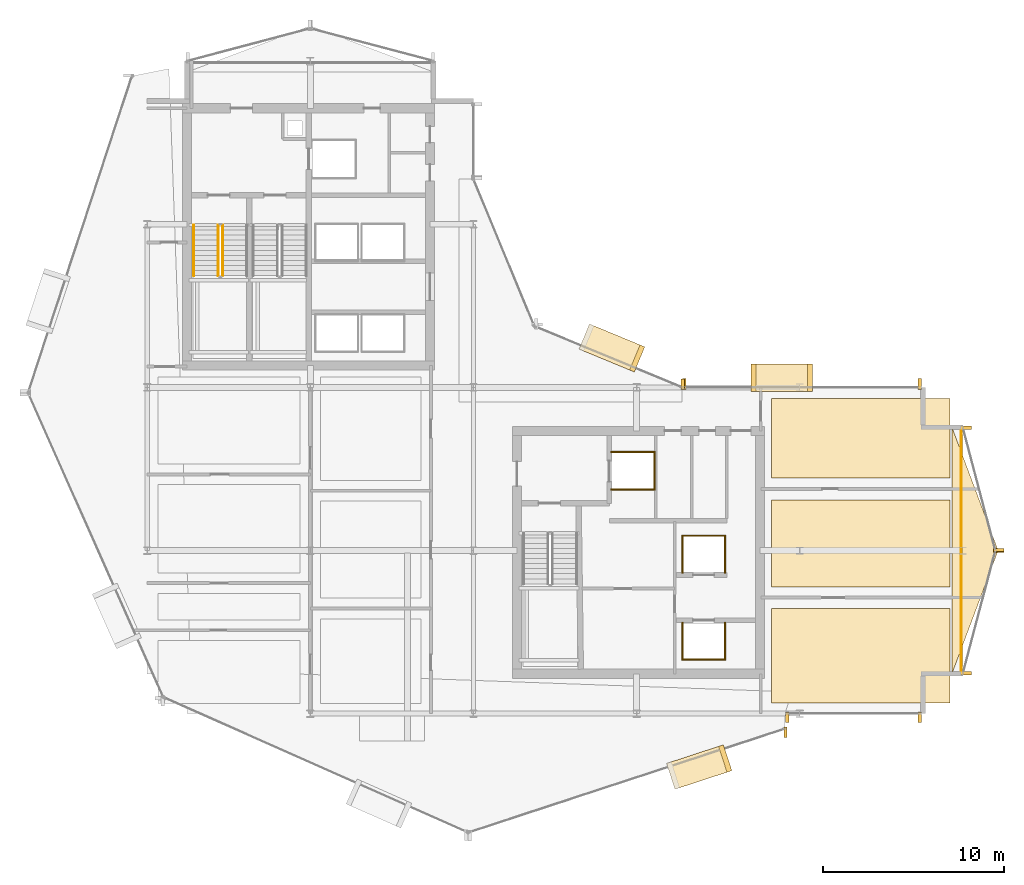
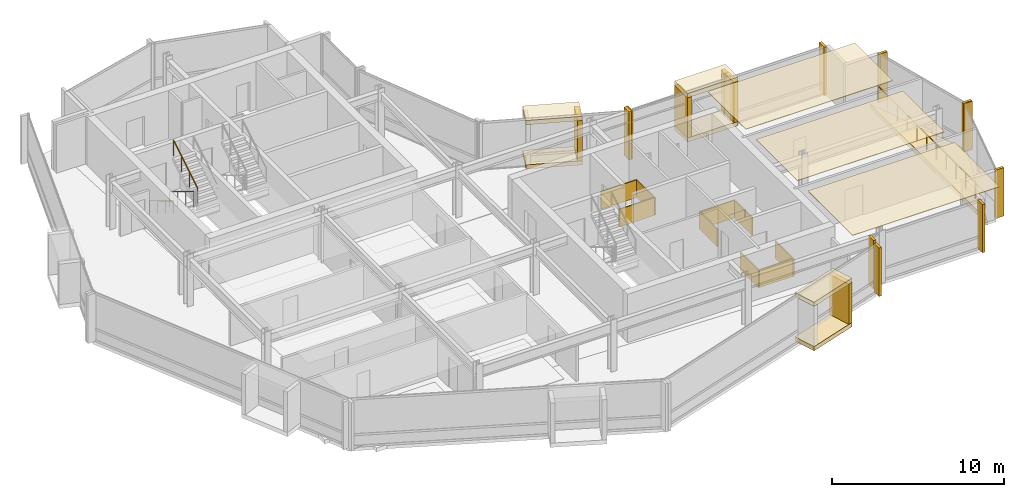
# One storey, part 26 of 27: 33 coverings, 4 railings.
"""IFC4 building model written with IfcOpenShell, lengths in metres."""

from ifc_helpers import new_model, si_unit, direction, frame, origin, origin_2d, place, context, subcontext, project, spatial, polyline, rectangle, circle, outline, extrude, material, layer, layer_set, type_object, element, save


model = new_model("IFC4")

# Units and contexts
model_context = context("Model", 3, precision=1e-05, world=origin(), true_north=direction((0.0, 1.0)))
body_context = subcontext(model_context, "Body", "Model", "MODEL_VIEW")
ifc_project = project(units=[si_unit("LENGTHUNIT", "METRE"), si_unit("AREAUNIT", "SQUARE_METRE"), si_unit("VOLUMEUNIT", "CUBIC_METRE"), si_unit("PLANEANGLEUNIT", "RADIAN"), si_unit("MASSUNIT", "GRAM", prefix="KILO")], contexts=[model_context])

# Site, building, storey
site_placement = place(None, origin())
site = spatial("IfcSite", under=ifc_project, at=site_placement, CompositionType="ELEMENT")
building_placement = place(site_placement, origin())
building = spatial("IfcBuilding", under=site, at=building_placement, Name="Solvaryn Broadcast Tower", CompositionType="ELEMENT")
storey_placement = place(building_placement, frame((0.0, 0.0, 174.199951171875)))
storey = spatial("IfcBuildingStorey", under=building, at=storey_placement, Name="L43", CompositionType="ELEMENT", Elevation=174.199951171875)

# Coverings
ifc_material_1 = material(Name="Micro-Perforated Acoustic Gypsum Ceiling", Category="concrete")
ifc_layer_1 = layer(ifc_material_1, 0.0400390625)
ifc_layer_set_1 = layer_set([ifc_layer_1], Name="CV-CEIL-ACOUSTIC")
covering_type_1 = type_object("IfcCoveringType", Name="CV-CEIL-ACOUSTIC", PredefinedType="CEILING", material=ifc_layer_set_1)
covering_1_placement = place(storey_placement, frame((0.0, 0.0, 3.380126953125)))
element("IfcCovering", 1, at=covering_1_placement, inside=storey, type_object=covering_type_1, Name="L43 Room Acoustic Ceiling 8", PredefinedType="CEILING", context=body_context, shape_type="SweptSolid", body=[
    extrude(outline(polyline([(43.449951171875, 9.60009765625), (53.300048828125, 9.60009765625), (53.300048828125, 14.800048828125), (43.449951171875, 14.800048828125), (43.449951171875, 9.60009765625)])), origin(), (0.0, 0.0, 1.0), 0.0400390625),
])
covering_2_placement = place(storey_placement, frame((0.0, 0.0, 3.380126953125)))
element("IfcCovering", 2, at=covering_2_placement, inside=storey, type_object=covering_type_1, Name="L43 Room Acoustic Ceiling 9", PredefinedType="CEILING", context=body_context, shape_type="SweptSolid", body=[
    extrude(outline(polyline([(43.449951171875, 16.0), (53.300048828125, 16.0), (53.300048828125, 20.800048828125), (43.449951171875, 20.800048828125), (43.449951171875, 16.0)])), origin(), (0.0, 0.0, 1.0), 0.0400390625),
])
covering_3_placement = place(storey_placement, frame((0.0, 0.0, 3.380126953125)))
element("IfcCovering", 3, at=covering_3_placement, inside=storey, type_object=covering_type_1, Name="L43 Room Acoustic Ceiling 10", PredefinedType="CEILING", context=body_context, shape_type="SweptSolid", body=[
    extrude(outline(polyline([(43.449951171875, 22.0), (53.300048828125, 22.0), (53.300048828125, 26.39990234375), (43.449951171875, 26.39990234375), (43.449951171875, 22.0)])), origin(), (0.0, 0.0, 1.0), 0.0400390625),
])
ifc_material_2 = material(Name="Fire-Rated Gypsum Shaftwall Liner", Category="concrete")
ifc_layer_2 = layer(ifc_material_2, 0.080078125)
ifc_layer_set_2 = layer_set([ifc_layer_2], Name="CV-SHAFT-LINER")
covering_type_2 = type_object("IfcCoveringType", Name="CV-SHAFT-LINER", PredefinedType="CLADDING", material=ifc_layer_set_2)
for number, where, z_axis, x_axis, name in (
    (4, (35.800048828125, 23.43994140625, 0.0), (0.0, 0.0, 1.0), (1.0, 0.0, 0.0), "L43 FL2 Hoistway Shaft Liner North"),
    (5, (35.800048828125, 21.360107421875, 0.0), (0.0, 0.0, 1.0), (1.0, 0.0, 0.0), "L43 FL2 Hoistway Shaft Liner South"),
):
    element("IfcCovering", number, at=place(storey_placement, frame(where, z_axis=z_axis, x_axis=x_axis)), inside=storey, type_object=covering_type_2, Name=name, PredefinedType="CLADDING", context=body_context, shape_type="SweptSolid", body=[
        extrude(rectangle(XDim=2.4599609375, YDim=0.080078125, at=origin_2d()), origin(), (0.0, 0.0, 1.0), 1.25),
    ])
covering_4_placement = place(storey_placement, frame((36.989990234375, 22.39990234375, 0.0), z_axis=(0.0, 0.0, 1.0), x_axis=(1.0, 0.0, 0.0)))
element("IfcCovering", 6, at=covering_4_placement, inside=storey, type_object=covering_type_2, Name="L43 FL2 Hoistway Shaft Liner East", PredefinedType="CLADDING", context=body_context, shape_type="SweptSolid", body=[
    extrude(rectangle(XDim=0.080078125, YDim=2.159912109375, at=origin_2d()), origin(), (0.0, 0.0, 1.0), 1.25),
])
covering_5_placement = place(storey_placement, frame((39.699951171875, 11.985107421875, 0.0), z_axis=(0.0, 0.0, 1.0), x_axis=(1.0, 0.0, 0.0)))
element("IfcCovering", 7, at=covering_5_placement, inside=storey, type_object=covering_type_2, Name="L43 PM1 Hoistway Shaft Liner South", PredefinedType="CLADDING", context=body_context, shape_type="SweptSolid", body=[
    extrude(rectangle(XDim=2.409912109375, YDim=0.080078125, at=origin_2d()), origin(), (0.0, 0.0, 1.0), 1.25),
])
for number, where, z_axis, x_axis, name in (
    (8, (40.864990234375, 13.0, 0.0), (0.0, 0.0, 1.0), (1.0, 0.0, 0.0), "L43 PM1 Hoistway Shaft Liner East"),
    (9, (38.534912109375, 13.0, 0.0), (0.0, 0.0, 1.0), (1.0, 0.0, 0.0), "L43 PM1 Hoistway Shaft Liner West"),
):
    element("IfcCovering", number, at=place(storey_placement, frame(where, z_axis=z_axis, x_axis=x_axis)), inside=storey, type_object=covering_type_2, Name=name, PredefinedType="CLADDING", context=body_context, shape_type="SweptSolid", body=[
        extrude(rectangle(XDim=0.080078125, YDim=2.110107421875, at=origin_2d()), origin(), (0.0, 0.0, 1.0), 1.25),
    ])
covering_6_placement = place(storey_placement, frame((39.699951171875, 18.81494140625, 0.0), z_axis=(0.0, 0.0, 1.0), x_axis=(1.0, 0.0, 0.0)))
element("IfcCovering", 10, at=covering_6_placement, inside=storey, type_object=covering_type_2, Name="L43 PM2 Hoistway Shaft Liner North", PredefinedType="CLADDING", context=body_context, shape_type="SweptSolid", body=[
    extrude(rectangle(XDim=2.409912109375, YDim=0.080078125, at=origin_2d()), origin(), (0.0, 0.0, 1.0), 1.25),
])
for number, where, z_axis, x_axis, name in (
    (11, (40.864990234375, 17.800048828125, 0.0), (0.0, 0.0, 1.0), (1.0, 0.0, 0.0), "L43 PM2 Hoistway Shaft Liner East"),
    (12, (38.534912109375, 17.800048828125, 0.0), (0.0, 0.0, 1.0), (1.0, 0.0, 0.0), "L43 PM2 Hoistway Shaft Liner West"),
):
    element("IfcCovering", number, at=place(storey_placement, frame(where, z_axis=z_axis, x_axis=x_axis)), inside=storey, type_object=covering_type_2, Name=name, PredefinedType="CLADDING", context=body_context, shape_type="SweptSolid", body=[
        extrude(rectangle(XDim=0.080078125, YDim=2.110107421875, at=origin_2d()), origin(), (0.0, 0.0, 1.0), 1.25),
    ])
ifc_material_3 = material(Name="Glazed Architectural Terracotta Rainscreen Cladding", Category="masonry")
ifc_layer_3 = layer(ifc_material_3, 0.280029296875)
ifc_layer_set_3 = layer_set([ifc_layer_3], Name="CV-TC-CLAD")
covering_type_3 = type_object("IfcCoveringType", Name="CV-TC-CLAD", PredefinedType="CLADDING", material=ifc_layer_set_3)
for number, where, z_axis, x_axis, name in (
    (13, (39.4541015625, 6.054931640625, 3.1298828125), (0.0, 0.0, 1.0), (0.950244253402, 0.311505792684, 0.0), "L43 Projecting Stone Window Box Hood 4"),
    (14, (39.4541015625, 6.054931640625, -0.009765625), (0.0, 0.0, 1.0), (0.950244253402, 0.311505792684, 0.0), "L43 Projecting Stone Window Box Sill 4"),
):
    element("IfcCovering", number, at=place(storey_placement, frame(where, z_axis=z_axis, x_axis=x_axis)), inside=storey, type_object=covering_type_3, Name=name, PredefinedType="CLADDING", context=body_context, shape_type="SweptSolid", body=[
        extrude(rectangle(XDim=3.300048828125, YDim=1.5, at=origin_2d()), origin(), (0.0, 0.0, 1.0), 0.300048828125),
    ])
covering_7_placement = place(storey_placement, frame((40.888916015625, 6.525390625, 0.27978515625), z_axis=(0.0, 0.0, 1.0), x_axis=(0.950244253402, 0.311505792684, 0.0)))
element("IfcCovering", 15, at=covering_7_placement, inside=storey, type_object=covering_type_3, Name="L43 Projecting Stone Window Box Cheek 4-2", PredefinedType="CLADDING", context=body_context, shape_type="SweptSolid", body=[
    extrude(rectangle(XDim=0.280029296875, YDim=1.5, at=origin_2d()), origin(), (0.0, 0.0, 1.0), 2.860107421875),
])
for number, where, z_axis, x_axis, name in (
    (16, (34.636962890625, 29.174072265625, 3.1298828125), (0.0, 0.0, 1.0), (-0.923879532511, 0.382683432365, 0.0), "L43 Projecting Stone Window Box Hood 5"),
    (17, (34.636962890625, 29.174072265625, -0.009765625), (0.0, 0.0, 1.0), (-0.923879532511, 0.382683432365, 0.0), "L43 Projecting Stone Window Box Sill 5"),
):
    element("IfcCovering", number, at=place(storey_placement, frame(where, z_axis=z_axis, x_axis=x_axis)), inside=storey, type_object=covering_type_3, Name=name, PredefinedType="CLADDING", context=body_context, shape_type="SweptSolid", body=[
        extrude(rectangle(XDim=3.300048828125, YDim=1.5, at=origin_2d()), origin(), (0.0, 0.0, 1.0), 0.300048828125),
    ])
covering_8_placement = place(storey_placement, frame((36.031982421875, 28.59619140625, 0.27978515625), z_axis=(0.0, 0.0, 1.0), x_axis=(-0.923879532511, 0.382683432365, 0.0)))
element("IfcCovering", 18, at=covering_8_placement, inside=storey, type_object=covering_type_3, Name="L43 Projecting Stone Window Box Cheek 5-1", PredefinedType="CLADDING", context=body_context, shape_type="SweptSolid", body=[
    extrude(rectangle(XDim=0.280029296875, YDim=1.5, at=origin_2d()), origin(), (0.0, 0.0, 1.0), 2.860107421875),
])
for number, where, z_axis, x_axis, name in (
    (19, (44.0, 27.530029296875, 3.1298828125), (0.0, 0.0, 1.0), (1.0, 0.0, 0.0), "L43 Projecting Stone Window Box Hood 6"),
    (20, (44.0, 27.530029296875, -0.009765625), (0.0, 0.0, 1.0), (1.0, 0.0, 0.0), "L43 Projecting Stone Window Box Sill 6"),
):
    element("IfcCovering", number, at=place(storey_placement, frame(where, z_axis=z_axis, x_axis=x_axis)), inside=storey, type_object=covering_type_3, Name=name, PredefinedType="CLADDING", context=body_context, shape_type="SweptSolid", body=[
        extrude(rectangle(XDim=3.39990234375, YDim=1.5, at=origin_2d()), origin(), (0.0, 0.0, 1.0), 0.300048828125),
    ])
for number, where, z_axis, x_axis, name in (
    (21, (42.43994140625, 27.530029296875, 0.27978515625), (0.0, 0.0, 1.0), (1.0, 0.0, 0.0), "L43 Projecting Stone Window Box Cheek 6-1"),
    (22, (45.56005859375, 27.530029296875, 0.27978515625), (0.0, 0.0, 1.0), (1.0, 0.0, 0.0), "L43 Projecting Stone Window Box Cheek 6-2"),
):
    element("IfcCovering", number, at=place(storey_placement, frame(where, z_axis=z_axis, x_axis=x_axis)), inside=storey, type_object=covering_type_3, Name=name, PredefinedType="CLADDING", context=body_context, shape_type="SweptSolid", body=[
        extrude(rectangle(XDim=0.280029296875, YDim=1.5, at=origin_2d()), origin(), (0.0, 0.0, 1.0), 2.860107421875),
    ])
ifc_material_4 = material(Name="Extruded Architectural Terracotta Fin", Category="masonry")
ifc_layer_4 = layer(ifc_material_4, 0.179931640625)
ifc_layer_set_4 = layer_set([ifc_layer_4], Name="CV-TC-FIN")
covering_type_4 = type_object("IfcCoveringType", Name="CV-TC-FIN", PredefinedType="USERDEFINED", material=ifc_layer_set_4)
for number, where, z_axis, x_axis, name in (
    (23, (44.209716796875, 7.982666015625, 0.0), (0.0, 0.0, 1.0), (1.0, 0.0, 0.0), "L43 Terracotta Vertical Fin FIN-L43-DR4-M01"),
    (24, (38.541259765625, 27.177978515625, 0.0), (0.0, 0.0, 1.0), (1.0, 0.0, 0.0), "L43 Terracotta Vertical Fin FIN-L43-CN1-M00"),
    (25, (44.31201171875, 8.8125, 0.0), (0.0, 0.0, 1.0), (1.0, 0.0, 0.0), "L43 Terracotta Vertical Fin FIN-L43-S2-M00"),
    (26, (51.6201171875, 8.8125, 0.0), (0.0, 0.0, 1.0), (1.0, 0.0, 0.0), "L43 Terracotta Vertical Fin FIN-L43-S2-M01"),
):
    element("IfcCovering", number, at=place(storey_placement, frame(where, z_axis=z_axis, x_axis=x_axis)), inside=storey, type_object=covering_type_4, Name=name, ObjectType="FIN", PredefinedType="USERDEFINED", context=body_context, shape_type="SweptSolid", body=[
        extrude(rectangle(XDim=0.179931640625, YDim=0.580078125, at=origin_2d()), origin(), (0.0, 0.0, 1.0), 3.419921875),
    ])
for number, where, z_axis, x_axis, name in (
    (27, (54.1953125, 24.77099609375, 0.0), (0.0, 0.0, 1.0), (1.0, 0.0, 0.0), "L43 Terracotta Vertical Fin FIN-L43-ET1-M00"),
    (28, (55.979736328125, 18.029052734375, 0.0), (0.0, 0.0, 1.0), (1.0, 0.0, 0.0), "L43 Terracotta Vertical Fin FIN-L43-ET1-M01"),
    (29, (55.979736328125, 17.970947265625, 0.0), (0.0, 0.0, 1.0), (1.0, 0.0, 0.0), "L43 Terracotta Vertical Fin FIN-L43-ET2-M00"),
    (30, (54.1953125, 11.22900390625, 0.0), (0.0, 0.0, 1.0), (1.0, 0.0, 0.0), "L43 Terracotta Vertical Fin FIN-L43-ET2-M01"),
):
    element("IfcCovering", number, at=place(storey_placement, frame(where, z_axis=z_axis, x_axis=x_axis)), inside=storey, type_object=covering_type_4, Name=name, ObjectType="FIN", PredefinedType="USERDEFINED", context=body_context, shape_type="SweptSolid", body=[
        extrude(rectangle(XDim=0.580078125, YDim=0.179931640625, at=origin_2d()), origin(), (0.0, 0.0, 1.0), 3.419921875),
    ])
for number, where, z_axis, x_axis, name in (
    (31, (38.6298828125, 27.1875, 0.0), (0.0, 0.0, 1.0), (1.0, 0.0, 0.0), "L43 Terracotta Vertical Fin FIN-L43-IH-M00"),
    (32, (51.6201171875, 27.1875, 0.0), (0.0, 0.0, 1.0), (1.0, 0.0, 0.0), "L43 Terracotta Vertical Fin FIN-L43-IH-M01"),
):
    element("IfcCovering", number, at=place(storey_placement, frame(where, z_axis=z_axis, x_axis=x_axis)), inside=storey, type_object=covering_type_4, Name=name, ObjectType="FIN", PredefinedType="USERDEFINED", context=body_context, shape_type="SweptSolid", body=[
        extrude(rectangle(XDim=0.179931640625, YDim=0.580078125, at=origin_2d()), origin(), (0.0, 0.0, 1.0), 3.419921875),
    ])
ifc_material_5 = material(Name="Sculpted Architectural Terracotta Wave Fascia", Category="masonry")
ifc_layer_5 = layer(ifc_material_5, 0.340087890625)
ifc_layer_set_5 = layer_set([ifc_layer_5], Name="CV-WAVE-TRAY")
covering_type_5 = type_object("IfcCoveringType", Name="CV-WAVE-TRAY", PredefinedType="CLADDING", material=ifc_layer_set_5)
covering_9_placement = place(storey_placement, frame((0.0, 0.0, -0.300048828125)))
element("IfcCovering", 33, at=covering_9_placement, inside=storey, type_object=covering_type_5, Name="L43 East Curved Wing Deck", PredefinedType="CLADDING", context=body_context, shape_type="SweptSolid", body=[
    extrude(outline(polyline([(53.39990234375, 11.199951171875), (55.949951171875, 18.0), (53.39990234375, 24.800048828125), (53.39990234375, 11.199951171875)])), origin(), (0.0, 0.0, 1.0), 0.330078125),
])

# Railings
ifc_material_6 = material(Name="Painted Steel Stair Well Guard", Category="steel")
railing_type_1 = type_object("IfcRailingType", Name="RL-STAIR-GUARD", PredefinedType="BALUSTRADE", material=ifc_material_6)
railing_1_placement = place(storey_placement, frame((12.909912109375, 35.9599609375, 0.168212890625)))
element("IfcRailing", 34, at=railing_1_placement, inside=storey, type_object=railing_type_1, Name="L43 ST1 stair guard 1", PredefinedType="BALUSTRADE", context=body_context, shape_type="SweptSolid", body=[
    extrude(circle(Radius=0.02392578125, at=origin_2d()), frame((0.0, 0.0, 1.076171875), z_axis=(0.0, -0.857242210791, 0.514913383045), x_axis=(1.0, 0.0, 0.0)), (0.0, 0.0, 1.0), 3.266357421875),
    extrude(circle(Radius=0.02099609375, at=origin_2d()), origin(), (0.0, 0.0, 1.0), 1.052001953125),
    extrude(circle(Radius=0.02099609375, at=origin_2d()), frame((0.0, -0.933349609375, 0.560546875)), (0.0, 0.0, 1.0), 1.052001953125),
    extrude(circle(Radius=0.02099609375, at=origin_2d()), frame((0.0, -1.86669921875, 1.121337890625)), (0.0, 0.0, 1.0), 1.052001953125),
    extrude(circle(Radius=0.02099609375, at=origin_2d()), frame((0.0, -2.800048828125, 1.681884765625)), (0.0, 0.0, 1.0), 1.052001953125),
])
railing_2_placement = place(storey_placement, frame((13.159912109375, 33.159912109375, 2.018310546875)))
element("IfcRailing", 35, at=railing_2_placement, inside=storey, type_object=railing_type_1, Name="L43 ST1 stair guard 3", PredefinedType="BALUSTRADE", context=body_context, shape_type="SweptSolid", body=[
    extrude(circle(Radius=0.02392578125, at=origin_2d()), frame((0.0, 0.0, 1.076171875), z_axis=(0.0, 0.857275202839, 0.514858452973), x_axis=(-1.0, 0.0, 0.0)), (0.0, 0.0, 1.0), 3.26611328125),
    extrude(circle(Radius=0.02099609375, at=origin_2d()), origin(), (0.0, 0.0, 1.0), 1.052001953125),
    extrude(circle(Radius=0.02099609375, at=origin_2d()), frame((0.0, 0.933349609375, 0.560546875)), (0.0, 0.0, 1.0), 1.052001953125),
    extrude(circle(Radius=0.02099609375, at=origin_2d()), frame((0.0, 1.86669921875, 1.12109375)), (0.0, 0.0, 1.0), 1.052001953125),
    extrude(circle(Radius=0.02099609375, at=origin_2d()), frame((0.0, 2.800048828125, 1.681640625)), (0.0, 0.0, 1.0), 1.052001953125),
])
ifc_material_7 = material(Name="Brushed Stainless Steel Tubular Handrail", Category="steel")
railing_type_2 = type_object("IfcRailingType", Name="RL-STAIR-HANDRAIL", PredefinedType="HANDRAIL", material=ifc_material_7)
railing_3_placement = place(storey_placement, frame((11.570068359375, 35.9599609375, 0.168212890625)))
element("IfcRailing", 36, at=railing_3_placement, inside=storey, type_object=railing_type_2, Name="L43 ST1 stair handrail 1", PredefinedType="HANDRAIL", context=body_context, shape_type="SweptSolid", body=[
    extrude(circle(Radius=0.02392578125, at=origin_2d()), frame((0.0, 0.0, 0.8759765625), z_axis=(0.0, -0.857242210791, 0.514913383045), x_axis=(1.0, 0.0, 0.0)), (0.0, 0.0, 1.0), 3.266357421875),
    extrude(circle(Radius=0.02099609375, at=origin_2d()), origin(), (0.0, 0.0, 1.0), 0.851806640625),
    extrude(circle(Radius=0.02099609375, at=origin_2d()), frame((0.0, -0.933349609375, 0.560546875)), (0.0, 0.0, 1.0), 0.851806640625),
    extrude(circle(Radius=0.02099609375, at=origin_2d()), frame((0.0, -1.86669921875, 1.121337890625)), (0.0, 0.0, 1.0), 0.851806640625),
    extrude(circle(Radius=0.02099609375, at=origin_2d()), frame((0.0, -2.800048828125, 1.681884765625)), (0.0, 0.0, 1.0), 0.851806640625),
])
ifc_material_8 = material(Name="Stainless Steel and Laminated Glass Guard", Category="steel")
railing_type_3 = type_object("IfcRailingType", Name="RL-TER-1150", PredefinedType="BALUSTRADE", material=ifc_material_8)
railing_4_placement = place(storey_placement, frame((53.919921875, 11.199951171875, 0.0)))
element("IfcRailing", 37, at=railing_4_placement, inside=storey, type_object=railing_type_3, Name="L43 East Wing Spandrel Edge Guard", PredefinedType="BALUSTRADE", context=body_context, shape_type="SweptSolid", body=[
    extrude(circle(Radius=0.02392578125, at=origin_2d()), frame((0.0, 0.0, 1.1259765625), z_axis=(0.0, 1.0, 0.0), x_axis=(-1.0, 0.0, 0.0)), (0.0, 0.0, 1.0), 13.60009765625),
    extrude(circle(Radius=0.02099609375, at=origin_2d()), origin(), (0.0, 0.0, 1.0), 1.101806640625),
    extrude(circle(Radius=0.02099609375, at=origin_2d()), frame((0.0, 1.13330078125, 0.0)), (0.0, 0.0, 1.0), 1.101806640625),
    extrude(circle(Radius=0.02099609375, at=origin_2d()), frame((0.0, 2.2666015625, 0.0)), (0.0, 0.0, 1.0), 1.101806640625),
    extrude(circle(Radius=0.02099609375, at=origin_2d()), frame((0.0, 3.39990234375, 0.0)), (0.0, 0.0, 1.0), 1.101806640625),
    extrude(circle(Radius=0.02099609375, at=origin_2d()), frame((0.0, 4.533447265625, 0.0)), (0.0, 0.0, 1.0), 1.101806640625),
    extrude(circle(Radius=0.02099609375, at=origin_2d()), frame((0.0, 5.666748046875, 0.0)), (0.0, 0.0, 1.0), 1.101806640625),
    extrude(circle(Radius=0.02099609375, at=origin_2d()), frame((0.0, 6.800048828125, 0.0)), (0.0, 0.0, 1.0), 1.101806640625),
    extrude(circle(Radius=0.02099609375, at=origin_2d()), frame((0.0, 7.933349609375, 0.0)), (0.0, 0.0, 1.0), 1.101806640625),
    extrude(circle(Radius=0.02099609375, at=origin_2d()), frame((0.0, 9.066650390625, 0.0)), (0.0, 0.0, 1.0), 1.101806640625),
    extrude(circle(Radius=0.02099609375, at=origin_2d()), frame((0.0, 10.2001953125, 0.0)), (0.0, 0.0, 1.0), 1.101806640625),
    extrude(circle(Radius=0.02099609375, at=origin_2d()), frame((0.0, 11.33349609375, 0.0)), (0.0, 0.0, 1.0), 1.101806640625),
    extrude(circle(Radius=0.02099609375, at=origin_2d()), frame((0.0, 12.466796875, 0.0)), (0.0, 0.0, 1.0), 1.101806640625),
    extrude(circle(Radius=0.02099609375, at=origin_2d()), frame((0.0, 13.60009765625, 0.0)), (0.0, 0.0, 1.0), 1.101806640625),
])

save(model, "model.ifc")
